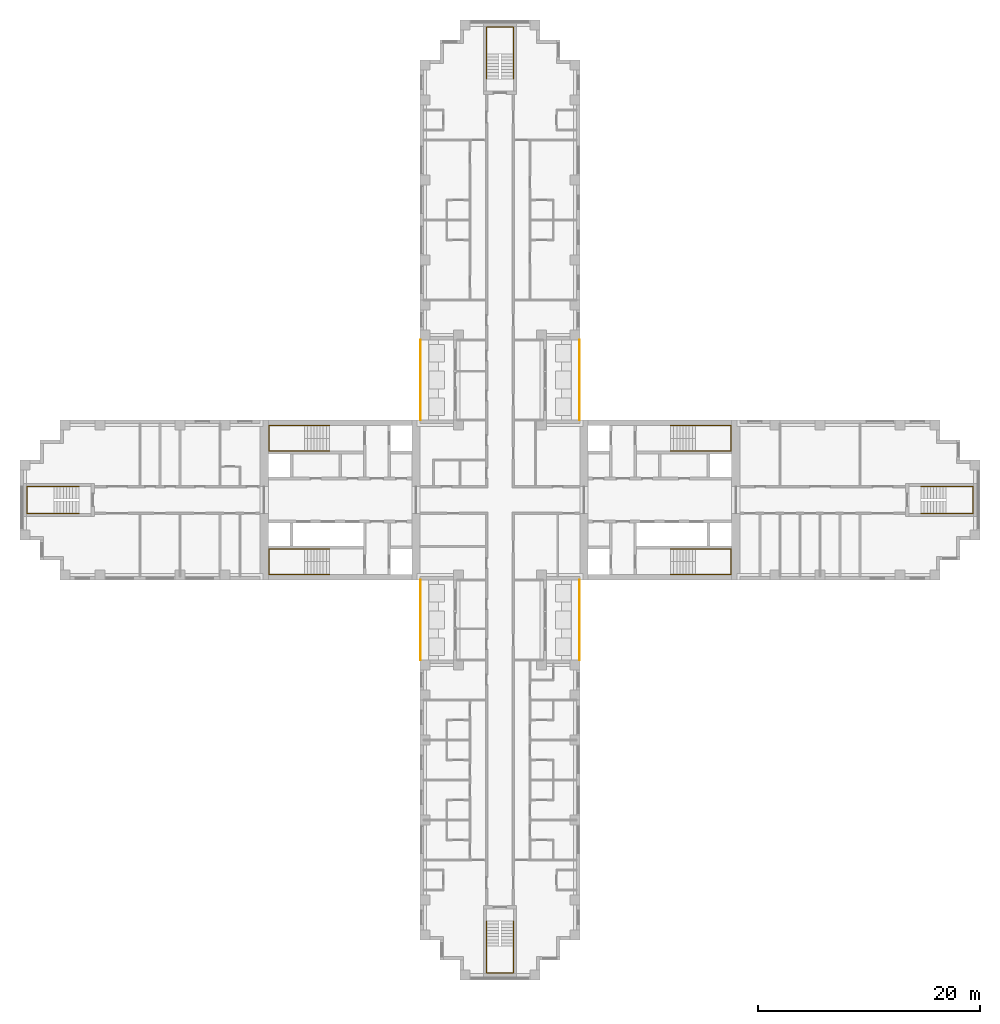
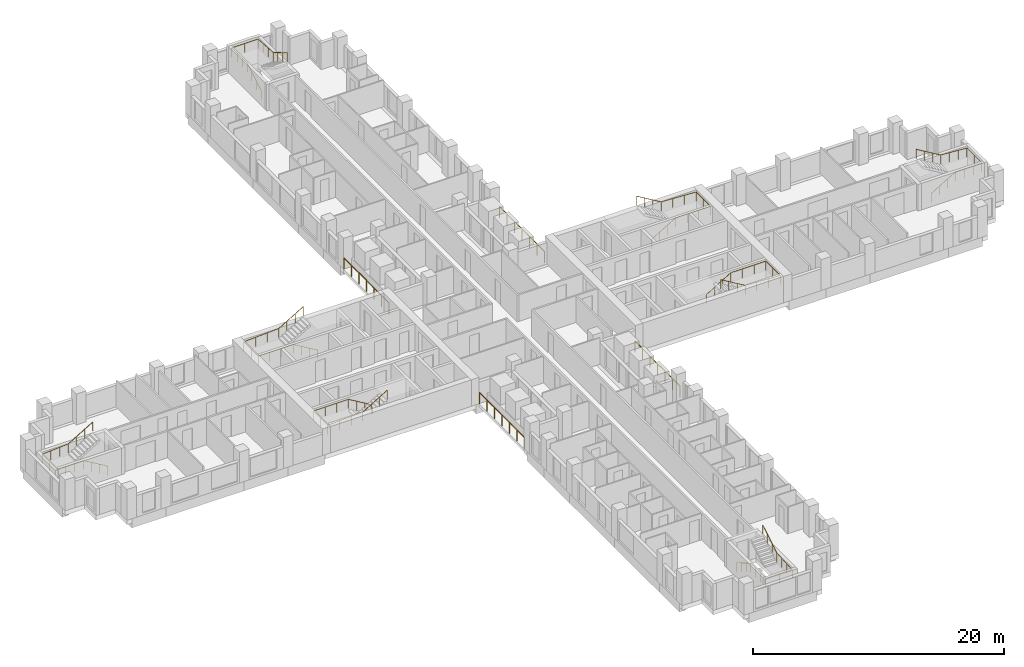
# One storey, part 15 of 16: 12 railings.
"""IFC4 building model written with IfcOpenShell, lengths in metres."""

from ifc_helpers import new_model, si_unit, direction, frame, origin, origin_2d, place, context, subcontext, project, spatial, circle, extrude, material, type_object, element, save


model = new_model("IFC4")

# Units and contexts
model_context = context("Model", 3, precision=1e-05, world=origin(), true_north=direction((0.0, 1.0)))
body_context = subcontext(model_context, "Body", "Model", "MODEL_VIEW")
ifc_project = project(units=[si_unit("LENGTHUNIT", "METRE"), si_unit("AREAUNIT", "SQUARE_METRE"), si_unit("VOLUMEUNIT", "CUBIC_METRE"), si_unit("PLANEANGLEUNIT", "RADIAN"), si_unit("MASSUNIT", "GRAM", prefix="KILO")], contexts=[model_context])

# Site, building, storey
site_placement = place(None, origin())
site = spatial("IfcSite", under=ifc_project, at=site_placement, CompositionType="ELEMENT")
building_placement = place(site_placement, origin())
building = spatial("IfcBuilding", under=site, at=building_placement, Name="Fustian Cross Tower", CompositionType="ELEMENT")
storey_placement = place(building_placement, frame((0.0, 0.0, 26.699951171875)))
storey = spatial("IfcBuildingStorey", under=building, at=storey_placement, Name="L07", CompositionType="ELEMENT", Elevation=26.699951171875)

# Railings
ifc_material_1 = material(Name="Stainless steel and glass", Category="steel")
railing_type_1 = type_object("IfcRailingType", Name="GR1 BALCONY GUARD 1100", PredefinedType="GUARDRAIL", material=ifc_material_1)
for number, where, name in (
    (1, (7.14990234375, 7.199951171875, 0.0), "Balcony guard"),
    (2, (-7.14990234375, 7.199951171875, 0.0), "Balcony guard"),
    (3, (7.14990234375, -14.39990234375, 0.0), "Balcony guard"),
    (4, (-7.14990234375, -14.39990234375, 0.0), "Balcony guard"),
):
    element("IfcRailing", number, at=place(storey_placement, frame(where)), inside=storey, type_object=railing_type_1, Name=name, PredefinedType="GUARDRAIL", context=body_context, shape_type="SweptSolid", body=[
        extrude(circle(Radius=0.02392578125, at=origin_2d()), frame((0.0, 0.0, 1.076171875), z_axis=(0.0, 1.0, 0.0), x_axis=(-1.0, 0.0, 0.0)), (0.0, 0.0, 1.0), 7.199951171875),
        extrude(circle(Radius=0.02099609375, at=origin_2d()), origin(), (0.0, 0.0, 1.0), 1.052001953125),
        extrude(circle(Radius=0.02099609375, at=origin_2d()), frame((0.0, 1.199951171875, 0.0)), (0.0, 0.0, 1.0), 1.052001953125),
        extrude(circle(Radius=0.02099609375, at=origin_2d()), frame((0.0, 2.39990234375, 0.0)), (0.0, 0.0, 1.0), 1.052001953125),
        extrude(circle(Radius=0.02099609375, at=origin_2d()), frame((0.0, 3.60009765625, 0.0)), (0.0, 0.0, 1.0), 1.052001953125),
        extrude(circle(Radius=0.02099609375, at=origin_2d()), frame((0.0, 4.800048828125, 0.0)), (0.0, 0.0, 1.0), 1.052001953125),
        extrude(circle(Radius=0.02099609375, at=origin_2d()), frame((0.0, 6.0, 0.0)), (0.0, 0.0, 1.0), 1.052001953125),
        extrude(circle(Radius=0.02099609375, at=origin_2d()), frame((0.0, 7.199951171875, 0.0)), (0.0, 0.0, 1.0), 1.052001953125),
    ])
ifc_material_2 = material(Name="Stainless steel", Category="steel")
railing_type_2 = type_object("IfcRailingType", Name="STAIR HANDRAIL", PredefinedType="HANDRAIL", material=ifc_material_2)
railing_1_placement = place(storey_placement, frame((15.35009765625, 4.39990234375, 0.166748046875)))
element("IfcRailing", 5, at=railing_1_placement, inside=storey, type_object=railing_type_2, Name="Stair ST1 handrail 1", PredefinedType="HANDRAIL", context=body_context, shape_type="SweptSolid", body=[
    extrude(circle(Radius=0.02490234375, at=origin_2d()), frame((0.0, 0.0, 0.875), z_axis=(0.859305625298, 0.0, 0.511462454469), x_axis=(0.0, 1.0, 0.0)), (0.0, 0.0, 1.0), 2.606689453125),
    extrude(circle(Radius=0.02490234375, at=origin_2d()), frame((2.239990234375, 0.0, 2.2080078125), z_axis=(1.0, 0.0, 0.0), x_axis=(0.0, 1.0, 0.0)), (0.0, 0.0, 1.0), 3.219970703125),
    extrude(circle(Radius=0.02490234375, at=origin_2d()), frame((5.4599609375, 0.0, 2.2080078125), z_axis=(0.0, 1.0, 0.0), x_axis=(-1.0, 0.0, 0.0)), (0.0, 0.0, 1.0), 2.300048828125),
    extrude(circle(Radius=0.02490234375, at=origin_2d()), frame((5.4599609375, 2.300048828125, 2.2080078125), z_axis=(-0.998661817807, 0.0, 0.051716280352), x_axis=(0.0, -1.0, 0.0)), (0.0, 0.0, 1.0), 3.224365234375),
    extrude(circle(Radius=0.02490234375, at=origin_2d()), frame((2.239990234375, 2.300048828125, 2.375), z_axis=(-0.859305625298, 0.0, 0.511462454469), x_axis=(0.0, -1.0, 0.0)), (0.0, 0.0, 1.0), 2.606689453125),
    extrude(circle(Radius=0.02001953125, at=origin_2d()), origin(), (0.0, 0.0, 1.0), 0.849853515625),
    extrude(circle(Radius=0.02001953125, at=origin_2d()), frame((0.74658203125, 0.0, 0.4443359375)), (0.0, 0.0, 1.0), 0.849853515625),
    extrude(circle(Radius=0.02001953125, at=origin_2d()), frame((1.493408203125, 0.0, 0.888916015625)), (0.0, 0.0, 1.0), 0.849853515625),
    extrude(circle(Radius=0.02001953125, at=origin_2d()), frame((2.239990234375, 0.0, 1.333251953125)), (0.0, 0.0, 1.0), 0.849853515625),
    extrude(circle(Radius=0.02001953125, at=origin_2d()), frame((3.313232421875, 0.0, 1.333251953125)), (0.0, 0.0, 1.0), 0.849853515625),
    extrude(circle(Radius=0.02001953125, at=origin_2d()), frame((4.38671875, 0.0, 1.333251953125)), (0.0, 0.0, 1.0), 0.849853515625),
    extrude(circle(Radius=0.02001953125, at=origin_2d()), frame((5.4599609375, 0.0, 1.333251953125)), (0.0, 0.0, 1.0), 0.849853515625),
    extrude(circle(Radius=0.02001953125, at=origin_2d()), frame((5.4599609375, 1.14990234375, 1.333251953125)), (0.0, 0.0, 1.0), 0.849853515625),
    extrude(circle(Radius=0.02001953125, at=origin_2d()), frame((5.4599609375, 2.300048828125, 1.333251953125)), (0.0, 0.0, 1.0), 0.849853515625),
    extrude(circle(Radius=0.02001953125, at=origin_2d()), frame((4.38671875, 2.300048828125, 1.388916015625)), (0.0, 0.0, 1.0), 0.849853515625),
    extrude(circle(Radius=0.02001953125, at=origin_2d()), frame((3.313232421875, 2.300048828125, 1.4443359375)), (0.0, 0.0, 1.0), 0.849853515625),
    extrude(circle(Radius=0.02001953125, at=origin_2d()), frame((2.239990234375, 2.300048828125, 1.5)), (0.0, 0.0, 1.0), 0.849853515625),
    extrude(circle(Radius=0.02001953125, at=origin_2d()), frame((1.493408203125, 2.300048828125, 1.9443359375)), (0.0, 0.0, 1.0), 0.849853515625),
    extrude(circle(Radius=0.02001953125, at=origin_2d()), frame((0.74658203125, 2.300048828125, 2.388916015625)), (0.0, 0.0, 1.0), 0.849853515625),
    extrude(circle(Radius=0.02001953125, at=origin_2d()), frame((0.0, 2.300048828125, 2.833251953125)), (0.0, 0.0, 1.0), 0.849853515625),
])
railing_2_placement = place(storey_placement, frame((15.35009765625, -4.39990234375, 0.166748046875)))
element("IfcRailing", 6, at=railing_2_placement, inside=storey, type_object=railing_type_2, Name="Stair ST2 handrail 1", PredefinedType="HANDRAIL", context=body_context, shape_type="SweptSolid", body=[
    extrude(circle(Radius=0.02490234375, at=origin_2d()), frame((0.0, 0.0, 0.875), z_axis=(0.859305625298, 0.0, 0.511462454469), x_axis=(0.0, 1.0, 0.0)), (0.0, 0.0, 1.0), 2.606689453125),
    extrude(circle(Radius=0.02490234375, at=origin_2d()), frame((2.239990234375, 0.0, 2.2080078125), z_axis=(1.0, 0.0, 0.0), x_axis=(0.0, 1.0, 0.0)), (0.0, 0.0, 1.0), 3.219970703125),
    extrude(circle(Radius=0.02490234375, at=origin_2d()), frame((5.4599609375, 0.0, 2.2080078125), z_axis=(0.0, -1.0, 0.0), x_axis=(1.0, 0.0, 0.0)), (0.0, 0.0, 1.0), 2.300048828125),
    extrude(circle(Radius=0.02490234375, at=origin_2d()), frame((5.4599609375, -2.300048828125, 2.2080078125), z_axis=(-0.998661817807, 0.0, 0.051716280352), x_axis=(0.0, -1.0, 0.0)), (0.0, 0.0, 1.0), 3.224365234375),
    extrude(circle(Radius=0.02490234375, at=origin_2d()), frame((2.239990234375, -2.300048828125, 2.375), z_axis=(-0.859305625298, 0.0, 0.511462454469), x_axis=(0.0, -1.0, 0.0)), (0.0, 0.0, 1.0), 2.606689453125),
    extrude(circle(Radius=0.02001953125, at=origin_2d()), origin(), (0.0, 0.0, 1.0), 0.849853515625),
    extrude(circle(Radius=0.02001953125, at=origin_2d()), frame((0.74658203125, 0.0, 0.4443359375)), (0.0, 0.0, 1.0), 0.849853515625),
    extrude(circle(Radius=0.02001953125, at=origin_2d()), frame((1.493408203125, 0.0, 0.888916015625)), (0.0, 0.0, 1.0), 0.849853515625),
    extrude(circle(Radius=0.02001953125, at=origin_2d()), frame((2.239990234375, 0.0, 1.333251953125)), (0.0, 0.0, 1.0), 0.849853515625),
    extrude(circle(Radius=0.02001953125, at=origin_2d()), frame((3.313232421875, 0.0, 1.333251953125)), (0.0, 0.0, 1.0), 0.849853515625),
    extrude(circle(Radius=0.02001953125, at=origin_2d()), frame((4.38671875, 0.0, 1.333251953125)), (0.0, 0.0, 1.0), 0.849853515625),
    extrude(circle(Radius=0.02001953125, at=origin_2d()), frame((5.4599609375, 0.0, 1.333251953125)), (0.0, 0.0, 1.0), 0.849853515625),
    extrude(circle(Radius=0.02001953125, at=origin_2d()), frame((5.4599609375, -1.14990234375, 1.333251953125)), (0.0, 0.0, 1.0), 0.849853515625),
    extrude(circle(Radius=0.02001953125, at=origin_2d()), frame((5.4599609375, -2.300048828125, 1.333251953125)), (0.0, 0.0, 1.0), 0.849853515625),
    extrude(circle(Radius=0.02001953125, at=origin_2d()), frame((4.38671875, -2.300048828125, 1.388916015625)), (0.0, 0.0, 1.0), 0.849853515625),
    extrude(circle(Radius=0.02001953125, at=origin_2d()), frame((3.313232421875, -2.300048828125, 1.4443359375)), (0.0, 0.0, 1.0), 0.849853515625),
    extrude(circle(Radius=0.02001953125, at=origin_2d()), frame((2.239990234375, -2.300048828125, 1.5)), (0.0, 0.0, 1.0), 0.849853515625),
    extrude(circle(Radius=0.02001953125, at=origin_2d()), frame((1.493408203125, -2.300048828125, 1.9443359375)), (0.0, 0.0, 1.0), 0.849853515625),
    extrude(circle(Radius=0.02001953125, at=origin_2d()), frame((0.74658203125, -2.300048828125, 2.388916015625)), (0.0, 0.0, 1.0), 0.849853515625),
    extrude(circle(Radius=0.02001953125, at=origin_2d()), frame((0.0, -2.300048828125, 2.833251953125)), (0.0, 0.0, 1.0), 0.849853515625),
])
railing_3_placement = place(storey_placement, frame((-15.35009765625, 4.39990234375, 0.166748046875)))
element("IfcRailing", 7, at=railing_3_placement, inside=storey, type_object=railing_type_2, Name="Stair ST3 handrail 1", PredefinedType="HANDRAIL", context=body_context, shape_type="SweptSolid", body=[
    extrude(circle(Radius=0.02490234375, at=origin_2d()), frame((0.0, 0.0, 0.875), z_axis=(-0.859305625298, 0.0, 0.511462454469), x_axis=(0.0, -1.0, 0.0)), (0.0, 0.0, 1.0), 2.606689453125),
    extrude(circle(Radius=0.02490234375, at=origin_2d()), frame((-2.239990234375, 0.0, 2.2080078125), z_axis=(-1.0, 0.0, 0.0), x_axis=(0.0, -1.0, 0.0)), (0.0, 0.0, 1.0), 3.219970703125),
    extrude(circle(Radius=0.02490234375, at=origin_2d()), frame((-5.4599609375, 0.0, 2.2080078125), z_axis=(0.0, 1.0, 0.0), x_axis=(-1.0, 0.0, 0.0)), (0.0, 0.0, 1.0), 2.300048828125),
    extrude(circle(Radius=0.02490234375, at=origin_2d()), frame((-5.4599609375, 2.300048828125, 2.2080078125), z_axis=(0.998661817807, 0.0, 0.051716280352), x_axis=(0.0, 1.0, 0.0)), (0.0, 0.0, 1.0), 3.224365234375),
    extrude(circle(Radius=0.02490234375, at=origin_2d()), frame((-2.239990234375, 2.300048828125, 2.375), z_axis=(0.859305625298, 0.0, 0.511462454469), x_axis=(0.0, 1.0, 0.0)), (0.0, 0.0, 1.0), 2.606689453125),
    extrude(circle(Radius=0.02001953125, at=origin_2d()), origin(), (0.0, 0.0, 1.0), 0.849853515625),
    extrude(circle(Radius=0.02001953125, at=origin_2d()), frame((-0.74658203125, 0.0, 0.4443359375)), (0.0, 0.0, 1.0), 0.849853515625),
    extrude(circle(Radius=0.02001953125, at=origin_2d()), frame((-1.493408203125, 0.0, 0.888916015625)), (0.0, 0.0, 1.0), 0.849853515625),
    extrude(circle(Radius=0.02001953125, at=origin_2d()), frame((-2.239990234375, 0.0, 1.333251953125)), (0.0, 0.0, 1.0), 0.849853515625),
    extrude(circle(Radius=0.02001953125, at=origin_2d()), frame((-3.313232421875, 0.0, 1.333251953125)), (0.0, 0.0, 1.0), 0.849853515625),
    extrude(circle(Radius=0.02001953125, at=origin_2d()), frame((-4.38671875, 0.0, 1.333251953125)), (0.0, 0.0, 1.0), 0.849853515625),
    extrude(circle(Radius=0.02001953125, at=origin_2d()), frame((-5.4599609375, 0.0, 1.333251953125)), (0.0, 0.0, 1.0), 0.849853515625),
    extrude(circle(Radius=0.02001953125, at=origin_2d()), frame((-5.4599609375, 1.14990234375, 1.333251953125)), (0.0, 0.0, 1.0), 0.849853515625),
    extrude(circle(Radius=0.02001953125, at=origin_2d()), frame((-5.4599609375, 2.300048828125, 1.333251953125)), (0.0, 0.0, 1.0), 0.849853515625),
    extrude(circle(Radius=0.02001953125, at=origin_2d()), frame((-4.38671875, 2.300048828125, 1.388916015625)), (0.0, 0.0, 1.0), 0.849853515625),
    extrude(circle(Radius=0.02001953125, at=origin_2d()), frame((-3.313232421875, 2.300048828125, 1.4443359375)), (0.0, 0.0, 1.0), 0.849853515625),
    extrude(circle(Radius=0.02001953125, at=origin_2d()), frame((-2.239990234375, 2.300048828125, 1.5)), (0.0, 0.0, 1.0), 0.849853515625),
    extrude(circle(Radius=0.02001953125, at=origin_2d()), frame((-1.493408203125, 2.300048828125, 1.9443359375)), (0.0, 0.0, 1.0), 0.849853515625),
    extrude(circle(Radius=0.02001953125, at=origin_2d()), frame((-0.74658203125, 2.300048828125, 2.388916015625)), (0.0, 0.0, 1.0), 0.849853515625),
    extrude(circle(Radius=0.02001953125, at=origin_2d()), frame((0.0, 2.300048828125, 2.833251953125)), (0.0, 0.0, 1.0), 0.849853515625),
])
railing_4_placement = place(storey_placement, frame((-15.35009765625, -4.39990234375, 0.166748046875)))
element("IfcRailing", 8, at=railing_4_placement, inside=storey, type_object=railing_type_2, Name="Stair ST4 handrail 1", PredefinedType="HANDRAIL", context=body_context, shape_type="SweptSolid", body=[
    extrude(circle(Radius=0.02490234375, at=origin_2d()), frame((0.0, 0.0, 0.875), z_axis=(-0.859305625298, 0.0, 0.511462454469), x_axis=(0.0, -1.0, 0.0)), (0.0, 0.0, 1.0), 2.606689453125),
    extrude(circle(Radius=0.02490234375, at=origin_2d()), frame((-2.239990234375, 0.0, 2.2080078125), z_axis=(-1.0, 0.0, 0.0), x_axis=(0.0, -1.0, 0.0)), (0.0, 0.0, 1.0), 3.219970703125),
    extrude(circle(Radius=0.02490234375, at=origin_2d()), frame((-5.4599609375, 0.0, 2.2080078125), z_axis=(0.0, -1.0, 0.0), x_axis=(1.0, 0.0, 0.0)), (0.0, 0.0, 1.0), 2.300048828125),
    extrude(circle(Radius=0.02490234375, at=origin_2d()), frame((-5.4599609375, -2.300048828125, 2.2080078125), z_axis=(0.998661817807, 0.0, 0.051716280352), x_axis=(0.0, 1.0, 0.0)), (0.0, 0.0, 1.0), 3.224365234375),
    extrude(circle(Radius=0.02490234375, at=origin_2d()), frame((-2.239990234375, -2.300048828125, 2.375), z_axis=(0.859305625298, 0.0, 0.511462454469), x_axis=(0.0, 1.0, 0.0)), (0.0, 0.0, 1.0), 2.606689453125),
    extrude(circle(Radius=0.02001953125, at=origin_2d()), origin(), (0.0, 0.0, 1.0), 0.849853515625),
    extrude(circle(Radius=0.02001953125, at=origin_2d()), frame((-0.74658203125, 0.0, 0.4443359375)), (0.0, 0.0, 1.0), 0.849853515625),
    extrude(circle(Radius=0.02001953125, at=origin_2d()), frame((-1.493408203125, 0.0, 0.888916015625)), (0.0, 0.0, 1.0), 0.849853515625),
    extrude(circle(Radius=0.02001953125, at=origin_2d()), frame((-2.239990234375, 0.0, 1.333251953125)), (0.0, 0.0, 1.0), 0.849853515625),
    extrude(circle(Radius=0.02001953125, at=origin_2d()), frame((-3.313232421875, 0.0, 1.333251953125)), (0.0, 0.0, 1.0), 0.849853515625),
    extrude(circle(Radius=0.02001953125, at=origin_2d()), frame((-4.38671875, 0.0, 1.333251953125)), (0.0, 0.0, 1.0), 0.849853515625),
    extrude(circle(Radius=0.02001953125, at=origin_2d()), frame((-5.4599609375, 0.0, 1.333251953125)), (0.0, 0.0, 1.0), 0.849853515625),
    extrude(circle(Radius=0.02001953125, at=origin_2d()), frame((-5.4599609375, -1.14990234375, 1.333251953125)), (0.0, 0.0, 1.0), 0.849853515625),
    extrude(circle(Radius=0.02001953125, at=origin_2d()), frame((-5.4599609375, -2.300048828125, 1.333251953125)), (0.0, 0.0, 1.0), 0.849853515625),
    extrude(circle(Radius=0.02001953125, at=origin_2d()), frame((-4.38671875, -2.300048828125, 1.388916015625)), (0.0, 0.0, 1.0), 0.849853515625),
    extrude(circle(Radius=0.02001953125, at=origin_2d()), frame((-3.313232421875, -2.300048828125, 1.4443359375)), (0.0, 0.0, 1.0), 0.849853515625),
    extrude(circle(Radius=0.02001953125, at=origin_2d()), frame((-2.239990234375, -2.300048828125, 1.5)), (0.0, 0.0, 1.0), 0.849853515625),
    extrude(circle(Radius=0.02001953125, at=origin_2d()), frame((-1.493408203125, -2.300048828125, 1.9443359375)), (0.0, 0.0, 1.0), 0.849853515625),
    extrude(circle(Radius=0.02001953125, at=origin_2d()), frame((-0.74658203125, -2.300048828125, 2.388916015625)), (0.0, 0.0, 1.0), 0.849853515625),
    extrude(circle(Radius=0.02001953125, at=origin_2d()), frame((0.0, -2.300048828125, 2.833251953125)), (0.0, 0.0, 1.0), 0.849853515625),
])
railing_5_placement = place(storey_placement, frame((-1.199951171875, 37.89990234375, 0.166748046875)))
element("IfcRailing", 9, at=railing_5_placement, inside=storey, type_object=railing_type_2, Name="Stair ST5 handrail 1", PredefinedType="HANDRAIL", context=body_context, shape_type="SweptSolid", body=[
    extrude(circle(Radius=0.02490234375, at=origin_2d()), frame((0.0, 0.0, 0.875), z_axis=(0.0, 0.859305625298, 0.511462454469), x_axis=(-1.0, 0.0, 0.0)), (0.0, 0.0, 1.0), 2.606689453125),
    extrude(circle(Radius=0.02490234375, at=origin_2d()), frame((0.0, 2.239990234375, 2.2080078125), z_axis=(0.0, 1.0, 0.0), x_axis=(-1.0, 0.0, 0.0)), (0.0, 0.0, 1.0), 2.420166015625),
    extrude(circle(Radius=0.02490234375, at=origin_2d()), frame((0.0, 4.66015625, 2.2080078125), z_axis=(1.0, 0.0, 0.0), x_axis=(0.0, 1.0, 0.0)), (0.0, 0.0, 1.0), 2.39990234375),
    extrude(circle(Radius=0.02490234375, at=origin_2d()), frame((2.39990234375, 4.66015625, 2.2080078125), z_axis=(0.0, -0.997634852044, 0.068736467663), x_axis=(1.0, 0.0, 0.0)), (0.0, 0.0, 1.0), 2.426025390625),
    extrude(circle(Radius=0.02490234375, at=origin_2d()), frame((2.39990234375, 2.239990234375, 2.375), z_axis=(0.0, -0.859305625298, 0.511462454469), x_axis=(1.0, 0.0, 0.0)), (0.0, 0.0, 1.0), 2.606689453125),
    extrude(circle(Radius=0.02001953125, at=origin_2d()), origin(), (0.0, 0.0, 1.0), 0.849853515625),
    extrude(circle(Radius=0.02001953125, at=origin_2d()), frame((0.0, 0.74658203125, 0.4443359375)), (0.0, 0.0, 1.0), 0.849853515625),
    extrude(circle(Radius=0.02001953125, at=origin_2d()), frame((0.0, 1.493408203125, 0.888916015625)), (0.0, 0.0, 1.0), 0.849853515625),
    extrude(circle(Radius=0.02001953125, at=origin_2d()), frame((0.0, 2.239990234375, 1.333251953125)), (0.0, 0.0, 1.0), 0.849853515625),
    extrude(circle(Radius=0.02001953125, at=origin_2d()), frame((0.0, 3.046630859375, 1.333251953125)), (0.0, 0.0, 1.0), 0.849853515625),
    extrude(circle(Radius=0.02001953125, at=origin_2d()), frame((0.0, 3.853515625, 1.333251953125)), (0.0, 0.0, 1.0), 0.849853515625),
    extrude(circle(Radius=0.02001953125, at=origin_2d()), frame((0.0, 4.66015625, 1.333251953125)), (0.0, 0.0, 1.0), 0.849853515625),
    extrude(circle(Radius=0.02001953125, at=origin_2d()), frame((1.199951171875, 4.66015625, 1.333251953125)), (0.0, 0.0, 1.0), 0.849853515625),
    extrude(circle(Radius=0.02001953125, at=origin_2d()), frame((2.39990234375, 4.66015625, 1.333251953125)), (0.0, 0.0, 1.0), 0.849853515625),
    extrude(circle(Radius=0.02001953125, at=origin_2d()), frame((2.39990234375, 3.853515625, 1.388916015625)), (0.0, 0.0, 1.0), 0.849853515625),
    extrude(circle(Radius=0.02001953125, at=origin_2d()), frame((2.39990234375, 3.046630859375, 1.4443359375)), (0.0, 0.0, 1.0), 0.849853515625),
    extrude(circle(Radius=0.02001953125, at=origin_2d()), frame((2.39990234375, 2.239990234375, 1.5)), (0.0, 0.0, 1.0), 0.849853515625),
    extrude(circle(Radius=0.02001953125, at=origin_2d()), frame((2.39990234375, 1.493408203125, 1.9443359375)), (0.0, 0.0, 1.0), 0.849853515625),
    extrude(circle(Radius=0.02001953125, at=origin_2d()), frame((2.39990234375, 0.74658203125, 2.388916015625)), (0.0, 0.0, 1.0), 0.849853515625),
    extrude(circle(Radius=0.02001953125, at=origin_2d()), frame((2.39990234375, 0.0, 2.833251953125)), (0.0, 0.0, 1.0), 0.849853515625),
])
railing_6_placement = place(storey_placement, frame((-1.199951171875, -37.89990234375, 0.166748046875)))
element("IfcRailing", 10, at=railing_6_placement, inside=storey, type_object=railing_type_2, Name="Stair ST6 handrail 1", PredefinedType="HANDRAIL", context=body_context, shape_type="SweptSolid", body=[
    extrude(circle(Radius=0.02490234375, at=origin_2d()), frame((0.0, 0.0, 0.875), z_axis=(0.0, -0.859305625298, 0.511462454469), x_axis=(1.0, 0.0, 0.0)), (0.0, 0.0, 1.0), 2.606689453125),
    extrude(circle(Radius=0.02490234375, at=origin_2d()), frame((0.0, -2.239990234375, 2.2080078125), z_axis=(0.0, -1.0, 0.0), x_axis=(1.0, 0.0, 0.0)), (0.0, 0.0, 1.0), 2.420166015625),
    extrude(circle(Radius=0.02490234375, at=origin_2d()), frame((0.0, -4.66015625, 2.2080078125), z_axis=(1.0, 0.0, 0.0), x_axis=(0.0, 1.0, 0.0)), (0.0, 0.0, 1.0), 2.39990234375),
    extrude(circle(Radius=0.02490234375, at=origin_2d()), frame((2.39990234375, -4.66015625, 2.2080078125), z_axis=(0.0, 0.997634852044, 0.068736467663), x_axis=(-1.0, 0.0, 0.0)), (0.0, 0.0, 1.0), 2.426025390625),
    extrude(circle(Radius=0.02490234375, at=origin_2d()), frame((2.39990234375, -2.239990234375, 2.375), z_axis=(0.0, 0.859305625298, 0.511462454469), x_axis=(-1.0, 0.0, 0.0)), (0.0, 0.0, 1.0), 2.606689453125),
    extrude(circle(Radius=0.02001953125, at=origin_2d()), origin(), (0.0, 0.0, 1.0), 0.849853515625),
    extrude(circle(Radius=0.02001953125, at=origin_2d()), frame((0.0, -0.74658203125, 0.4443359375)), (0.0, 0.0, 1.0), 0.849853515625),
    extrude(circle(Radius=0.02001953125, at=origin_2d()), frame((0.0, -1.493408203125, 0.888916015625)), (0.0, 0.0, 1.0), 0.849853515625),
    extrude(circle(Radius=0.02001953125, at=origin_2d()), frame((0.0, -2.239990234375, 1.333251953125)), (0.0, 0.0, 1.0), 0.849853515625),
    extrude(circle(Radius=0.02001953125, at=origin_2d()), frame((0.0, -3.046630859375, 1.333251953125)), (0.0, 0.0, 1.0), 0.849853515625),
    extrude(circle(Radius=0.02001953125, at=origin_2d()), frame((0.0, -3.853515625, 1.333251953125)), (0.0, 0.0, 1.0), 0.849853515625),
    extrude(circle(Radius=0.02001953125, at=origin_2d()), frame((0.0, -4.66015625, 1.333251953125)), (0.0, 0.0, 1.0), 0.849853515625),
    extrude(circle(Radius=0.02001953125, at=origin_2d()), frame((1.199951171875, -4.66015625, 1.333251953125)), (0.0, 0.0, 1.0), 0.849853515625),
    extrude(circle(Radius=0.02001953125, at=origin_2d()), frame((2.39990234375, -4.66015625, 1.333251953125)), (0.0, 0.0, 1.0), 0.849853515625),
    extrude(circle(Radius=0.02001953125, at=origin_2d()), frame((2.39990234375, -3.853515625, 1.388916015625)), (0.0, 0.0, 1.0), 0.849853515625),
    extrude(circle(Radius=0.02001953125, at=origin_2d()), frame((2.39990234375, -3.046630859375, 1.4443359375)), (0.0, 0.0, 1.0), 0.849853515625),
    extrude(circle(Radius=0.02001953125, at=origin_2d()), frame((2.39990234375, -2.239990234375, 1.5)), (0.0, 0.0, 1.0), 0.849853515625),
    extrude(circle(Radius=0.02001953125, at=origin_2d()), frame((2.39990234375, -1.493408203125, 1.9443359375)), (0.0, 0.0, 1.0), 0.849853515625),
    extrude(circle(Radius=0.02001953125, at=origin_2d()), frame((2.39990234375, -0.74658203125, 2.388916015625)), (0.0, 0.0, 1.0), 0.849853515625),
    extrude(circle(Radius=0.02001953125, at=origin_2d()), frame((2.39990234375, 0.0, 2.833251953125)), (0.0, 0.0, 1.0), 0.849853515625),
])
railing_7_placement = place(storey_placement, frame((37.89990234375, -1.199951171875, 0.166748046875)))
element("IfcRailing", 11, at=railing_7_placement, inside=storey, type_object=railing_type_2, Name="Stair ST8 handrail 1", PredefinedType="HANDRAIL", context=body_context, shape_type="SweptSolid", body=[
    extrude(circle(Radius=0.02490234375, at=origin_2d()), frame((0.0, 0.0, 0.875), z_axis=(0.859305625298, 0.0, 0.511462454469), x_axis=(0.0, 1.0, 0.0)), (0.0, 0.0, 1.0), 2.606689453125),
    extrude(circle(Radius=0.02490234375, at=origin_2d()), frame((2.239990234375, 0.0, 2.2080078125), z_axis=(1.0, 0.0, 0.0), x_axis=(0.0, 1.0, 0.0)), (0.0, 0.0, 1.0), 2.420166015625),
    extrude(circle(Radius=0.02490234375, at=origin_2d()), frame((4.66015625, 0.0, 2.2080078125), z_axis=(0.0, 1.0, 0.0), x_axis=(-1.0, 0.0, 0.0)), (0.0, 0.0, 1.0), 2.39990234375),
    extrude(circle(Radius=0.02490234375, at=origin_2d()), frame((4.66015625, 2.39990234375, 2.2080078125), z_axis=(-0.997634852044, 0.0, 0.068736467663), x_axis=(0.0, -1.0, 0.0)), (0.0, 0.0, 1.0), 2.426025390625),
    extrude(circle(Radius=0.02490234375, at=origin_2d()), frame((2.239990234375, 2.39990234375, 2.375), z_axis=(-0.859305625298, 0.0, 0.511462454469), x_axis=(0.0, -1.0, 0.0)), (0.0, 0.0, 1.0), 2.606689453125),
    extrude(circle(Radius=0.02001953125, at=origin_2d()), origin(), (0.0, 0.0, 1.0), 0.849853515625),
    extrude(circle(Radius=0.02001953125, at=origin_2d()), frame((0.74658203125, 0.0, 0.4443359375)), (0.0, 0.0, 1.0), 0.849853515625),
    extrude(circle(Radius=0.02001953125, at=origin_2d()), frame((1.493408203125, 0.0, 0.888916015625)), (0.0, 0.0, 1.0), 0.849853515625),
    extrude(circle(Radius=0.02001953125, at=origin_2d()), frame((2.239990234375, 0.0, 1.333251953125)), (0.0, 0.0, 1.0), 0.849853515625),
    extrude(circle(Radius=0.02001953125, at=origin_2d()), frame((3.046630859375, 0.0, 1.333251953125)), (0.0, 0.0, 1.0), 0.849853515625),
    extrude(circle(Radius=0.02001953125, at=origin_2d()), frame((3.853515625, 0.0, 1.333251953125)), (0.0, 0.0, 1.0), 0.849853515625),
    extrude(circle(Radius=0.02001953125, at=origin_2d()), frame((4.66015625, 0.0, 1.333251953125)), (0.0, 0.0, 1.0), 0.849853515625),
    extrude(circle(Radius=0.02001953125, at=origin_2d()), frame((4.66015625, 1.199951171875, 1.333251953125)), (0.0, 0.0, 1.0), 0.849853515625),
    extrude(circle(Radius=0.02001953125, at=origin_2d()), frame((4.66015625, 2.39990234375, 1.333251953125)), (0.0, 0.0, 1.0), 0.849853515625),
    extrude(circle(Radius=0.02001953125, at=origin_2d()), frame((3.853515625, 2.39990234375, 1.388916015625)), (0.0, 0.0, 1.0), 0.849853515625),
    extrude(circle(Radius=0.02001953125, at=origin_2d()), frame((3.046630859375, 2.39990234375, 1.4443359375)), (0.0, 0.0, 1.0), 0.849853515625),
    extrude(circle(Radius=0.02001953125, at=origin_2d()), frame((2.239990234375, 2.39990234375, 1.5)), (0.0, 0.0, 1.0), 0.849853515625),
    extrude(circle(Radius=0.02001953125, at=origin_2d()), frame((1.493408203125, 2.39990234375, 1.9443359375)), (0.0, 0.0, 1.0), 0.849853515625),
    extrude(circle(Radius=0.02001953125, at=origin_2d()), frame((0.74658203125, 2.39990234375, 2.388916015625)), (0.0, 0.0, 1.0), 0.849853515625),
    extrude(circle(Radius=0.02001953125, at=origin_2d()), frame((0.0, 2.39990234375, 2.833251953125)), (0.0, 0.0, 1.0), 0.849853515625),
])
railing_8_placement = place(storey_placement, frame((-37.89990234375, -1.199951171875, 0.166748046875)))
element("IfcRailing", 12, at=railing_8_placement, inside=storey, type_object=railing_type_2, Name="Stair ST9 handrail 1", PredefinedType="HANDRAIL", context=body_context, shape_type="SweptSolid", body=[
    extrude(circle(Radius=0.02490234375, at=origin_2d()), frame((0.0, 0.0, 0.875), z_axis=(-0.859305625298, 0.0, 0.511462454469), x_axis=(0.0, -1.0, 0.0)), (0.0, 0.0, 1.0), 2.606689453125),
    extrude(circle(Radius=0.02490234375, at=origin_2d()), frame((-2.239990234375, 0.0, 2.2080078125), z_axis=(-1.0, 0.0, 0.0), x_axis=(0.0, -1.0, 0.0)), (0.0, 0.0, 1.0), 2.420166015625),
    extrude(circle(Radius=0.02490234375, at=origin_2d()), frame((-4.66015625, 0.0, 2.2080078125), z_axis=(0.0, 1.0, 0.0), x_axis=(-1.0, 0.0, 0.0)), (0.0, 0.0, 1.0), 2.39990234375),
    extrude(circle(Radius=0.02490234375, at=origin_2d()), frame((-4.66015625, 2.39990234375, 2.2080078125), z_axis=(0.997634852044, 0.0, 0.068736467663), x_axis=(0.0, 1.0, 0.0)), (0.0, 0.0, 1.0), 2.426025390625),
    extrude(circle(Radius=0.02490234375, at=origin_2d()), frame((-2.239990234375, 2.39990234375, 2.375), z_axis=(0.859305625298, 0.0, 0.511462454469), x_axis=(0.0, 1.0, 0.0)), (0.0, 0.0, 1.0), 2.606689453125),
    extrude(circle(Radius=0.02001953125, at=origin_2d()), origin(), (0.0, 0.0, 1.0), 0.849853515625),
    extrude(circle(Radius=0.02001953125, at=origin_2d()), frame((-0.74658203125, 0.0, 0.4443359375)), (0.0, 0.0, 1.0), 0.849853515625),
    extrude(circle(Radius=0.02001953125, at=origin_2d()), frame((-1.493408203125, 0.0, 0.888916015625)), (0.0, 0.0, 1.0), 0.849853515625),
    extrude(circle(Radius=0.02001953125, at=origin_2d()), frame((-2.239990234375, 0.0, 1.333251953125)), (0.0, 0.0, 1.0), 0.849853515625),
    extrude(circle(Radius=0.02001953125, at=origin_2d()), frame((-3.046630859375, 0.0, 1.333251953125)), (0.0, 0.0, 1.0), 0.849853515625),
    extrude(circle(Radius=0.02001953125, at=origin_2d()), frame((-3.853515625, 0.0, 1.333251953125)), (0.0, 0.0, 1.0), 0.849853515625),
    extrude(circle(Radius=0.02001953125, at=origin_2d()), frame((-4.66015625, 0.0, 1.333251953125)), (0.0, 0.0, 1.0), 0.849853515625),
    extrude(circle(Radius=0.02001953125, at=origin_2d()), frame((-4.66015625, 1.199951171875, 1.333251953125)), (0.0, 0.0, 1.0), 0.849853515625),
    extrude(circle(Radius=0.02001953125, at=origin_2d()), frame((-4.66015625, 2.39990234375, 1.333251953125)), (0.0, 0.0, 1.0), 0.849853515625),
    extrude(circle(Radius=0.02001953125, at=origin_2d()), frame((-3.853515625, 2.39990234375, 1.388916015625)), (0.0, 0.0, 1.0), 0.849853515625),
    extrude(circle(Radius=0.02001953125, at=origin_2d()), frame((-3.046630859375, 2.39990234375, 1.4443359375)), (0.0, 0.0, 1.0), 0.849853515625),
    extrude(circle(Radius=0.02001953125, at=origin_2d()), frame((-2.239990234375, 2.39990234375, 1.5)), (0.0, 0.0, 1.0), 0.849853515625),
    extrude(circle(Radius=0.02001953125, at=origin_2d()), frame((-1.493408203125, 2.39990234375, 1.9443359375)), (0.0, 0.0, 1.0), 0.849853515625),
    extrude(circle(Radius=0.02001953125, at=origin_2d()), frame((-0.74658203125, 2.39990234375, 2.388916015625)), (0.0, 0.0, 1.0), 0.849853515625),
    extrude(circle(Radius=0.02001953125, at=origin_2d()), frame((0.0, 2.39990234375, 2.833251953125)), (0.0, 0.0, 1.0), 0.849853515625),
])

save(model, "model.ifc")
